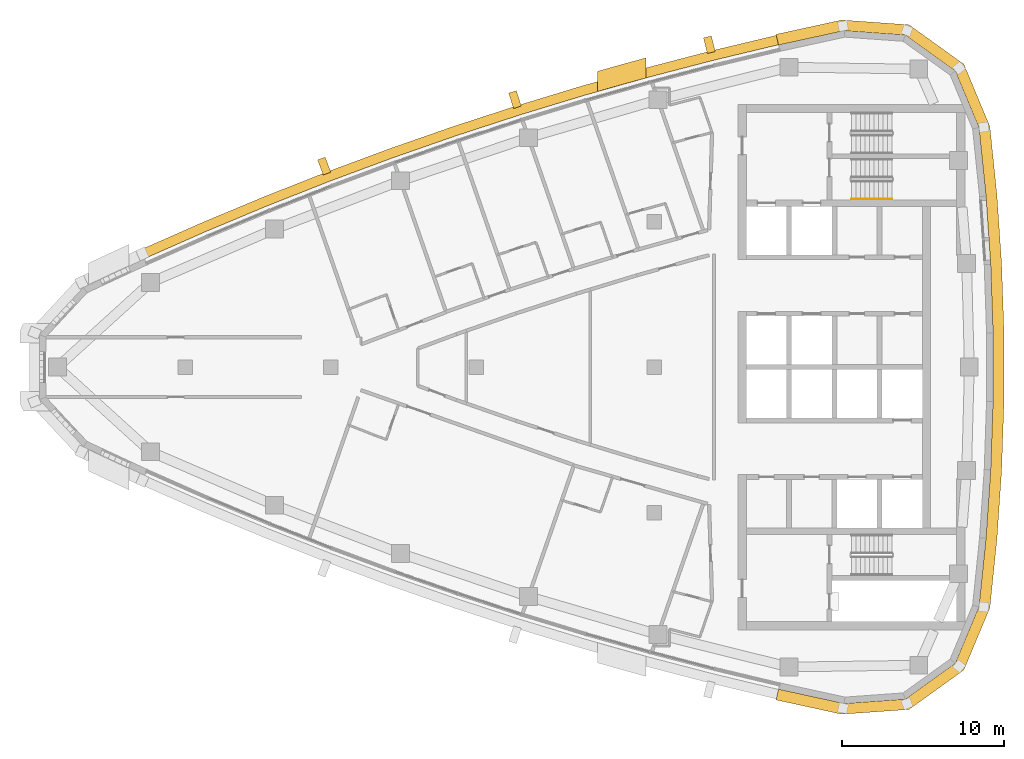
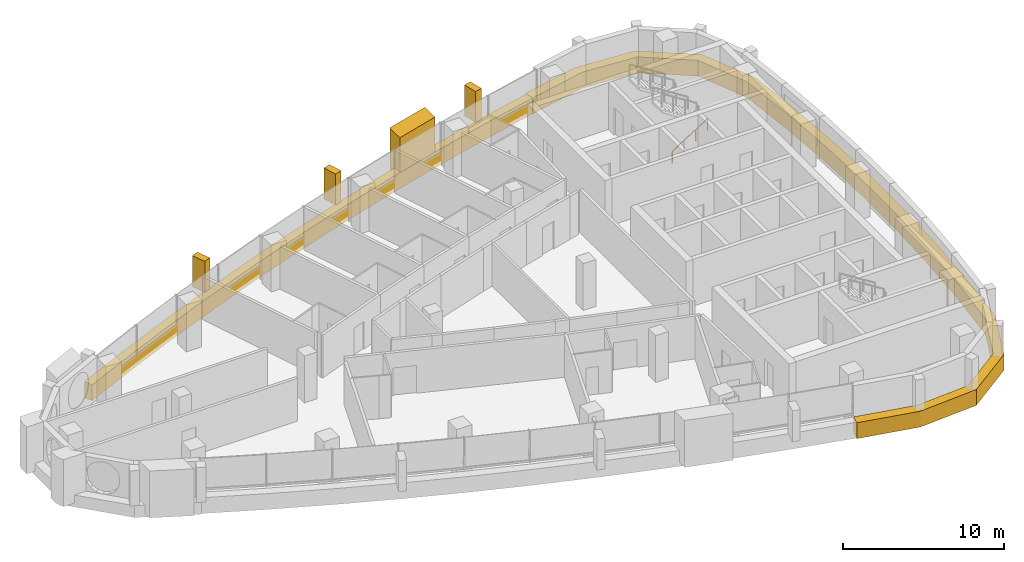
# One storey, part 13 of 14: 6 coverings, 1 railing.
"""IFC4 building model written with IfcOpenShell, lengths in metres."""

from ifc_helpers import new_model, si_unit, direction, frame, frame_2d, origin, origin_2d, place, context, subcontext, project, spatial, polyline, rectangle, circle, outline, extrude, material, layer, layer_set, type_object, element, save


model = new_model("IFC4")

# Units and contexts
model_context = context("Model", 3, precision=1e-05, world=origin(), true_north=direction((0.0, 1.0)))
body_context = subcontext(model_context, "Body", "Model", "MODEL_VIEW")
ifc_project = project(units=[si_unit("LENGTHUNIT", "METRE"), si_unit("AREAUNIT", "SQUARE_METRE"), si_unit("VOLUMEUNIT", "CUBIC_METRE"), si_unit("PLANEANGLEUNIT", "RADIAN"), si_unit("MASSUNIT", "GRAM", prefix="KILO")], contexts=[model_context])

# Site, building, storey
site_placement = place(None, origin())
site = spatial("IfcSite", under=ifc_project, at=site_placement, CompositionType="ELEMENT")
building_placement = place(site_placement, origin())
building = spatial("IfcBuilding", under=site, at=building_placement, Name="Ostrand Prow Hotel Tower", CompositionType="ELEMENT")
storey_placement = place(building_placement, frame((0.0, 0.0, 289.199951171875)))
storey = spatial("IfcBuildingStorey", under=building, at=storey_placement, Name="L73", CompositionType="ELEMENT", Elevation=289.199951171875)

# Coverings
ifc_material_1 = material(Name="Bronze anodised aluminium cladding", Category="aluminium")
ifc_layer_1 = layer(ifc_material_1, 0.60009765625)
ifc_layer_set_1 = layer_set([ifc_layer_1], Name="Bronze anodised aluminium cladding")
covering_type_1 = type_object("IfcCoveringType", Name="Bronze spandrel band 1200x600", PredefinedType="CLADDING", material=ifc_layer_set_1)
covering_1_placement = place(storey_placement, frame((0.0, 0.0, -0.300048828125)))
element("IfcCovering", 1, at=covering_1_placement, inside=storey, type_object=covering_type_1, Name="Spandrel band N1", PredefinedType="CLADDING", context=body_context, shape_type="SweptSolid", body=[
    extrude(outline(polyline([(52.55615234375, 20.52880859375), (48.51220703125, 19.56103515625), (44.48828125, 18.51220703125), (40.486328125, 17.382568359375), (36.508056640625, 16.172607421875), (32.5546875, 14.88330078125), (28.62841796875, 13.514404296875), (24.72998046875, 12.067138671875), (20.86181640625, 10.541748046875), (17.02490234375, 8.938720703125), (13.220947265625, 7.25927734375), (13.468994140625, 6.712890625), (17.26171875, 8.3876953125), (21.08740234375, 9.98583984375), (24.944580078125, 11.5068359375), (28.83154296875, 12.949951171875), (32.74658203125, 14.314697265625), (36.6884765625, 15.6005859375), (40.6552734375, 16.806884765625), (44.6455078125, 17.93310546875), (48.65771484375, 18.97900390625), (52.68994140625, 19.94384765625), (52.55615234375, 20.52880859375)])), origin(), (0.0, 0.0, 1.0), 1.2001953125),
])
covering_2_placement = place(storey_placement, frame((0.0, 0.0, -0.300048828125)))
element("IfcCovering", 2, at=covering_2_placement, inside=storey, type_object=covering_type_1, Name="Spandrel band back 1", PredefinedType="CLADDING", context=body_context, shape_type="SweptSolid", body=[
    extrude(outline(polyline([(52.542236328125, -20.58984375), (56.606201171875, -21.476318359375), (60.771728515625, -21.17919921875), (64.162841796875, -18.741455078125), (65.77197265625, -14.887451171875), (66.2080078125, -10.646240234375), (66.498779296875, -6.392822265625), (66.644287109375, -2.131591796875), (66.644287109375, 2.131591796875), (66.498779296875, 6.392822265625), (66.2080078125, 10.646240234375), (65.77197265625, 14.887451171875), (64.162841796875, 18.741455078125), (60.771728515625, 21.17919921875), (56.606201171875, 21.476318359375), (52.542236328125, 20.58984375), (52.69384765625, 19.927001953125), (56.744384765625, 20.810546875), (60.540283203125, 20.539794921875), (63.630615234375, 18.318359375), (65.0966796875, 14.806396484375), (65.530517578125, 10.58837890625), (65.819580078125, 6.35791015625), (65.964599609375, 2.1201171875), (65.964599609375, -2.1201171875), (65.819580078125, -6.35791015625), (65.530517578125, -10.58837890625), (65.0966796875, -14.806396484375), (63.630615234375, -18.318359375), (60.540283203125, -20.539794921875), (56.744384765625, -20.810546875), (52.69384765625, -19.927001953125), (52.542236328125, -20.58984375)])), origin(), (0.0, 0.0, 1.0), 1.2001953125),
])
ifc_material_2 = material(Name="Limestone cladding", Category="masonry")
ifc_layer_2 = layer(ifc_material_2, 5.0)
ifc_layer_set_2 = layer_set([ifc_layer_2], Name="Limestone cladding")
covering_type_2 = type_object("IfcCoveringType", Name="Portal jamb pilaster limestone", PredefinedType="CLADDING", material=ifc_layer_set_2)
covering_3_placement = place(storey_placement, origin())
element("IfcCovering", 3, at=covering_3_placement, inside=storey, type_object=covering_type_2, Name="Portal jamb NB L73", PredefinedType="CLADDING", context=body_context, shape_type="SweptSolid", body=[
    extrude(outline(polyline([(41.5, 17.052490234375), (42.5, 17.338134765625), (43.5, 17.61865234375), (44.5, 17.8935546875), (44.5, 19.136962890625), (43.5, 18.86376953125), (42.5, 18.585205078125), (41.5, 18.301025390625), (41.5, 17.052490234375)])), origin(), (0.0, 0.0, 1.0), 3.550048828125),
])
ifc_material_3 = material(Name="Limestone cladding", Category="masonry")
ifc_layer_3 = layer(ifc_material_3, 0.5)
ifc_layer_set_3 = layer_set([ifc_layer_3], Name="Limestone cladding")
covering_type_3 = type_object("IfcCoveringType", Name="Precast stone fin 500x900", PredefinedType="CLADDING", material=ifc_layer_set_3)
for number, where, z_axis, x_axis, name in (
    (4, (48.536376953125, 19.464111328125, 0.900146484375), (0.0, 0.0, 1.0), (-0.242707978632, 0.970099395479, 0.0), "Stone fin N 2"),
    (5, (36.5380859375, 16.077392578125, 0.900146484375), (0.0, 0.0, 1.0), (-0.30058207316, 0.953755952692, 0.0), "Stone fin N 5"),
):
    element("IfcCovering", number, at=place(storey_placement, frame(where, z_axis=z_axis, x_axis=x_axis)), inside=storey, type_object=covering_type_3, Name=name, PredefinedType="CLADDING", context=body_context, shape_type="SweptSolid", body=[
        extrude(rectangle(XDim=0.999755859375, YDim=0.5, at=frame_2d((0.5, 0.0))), origin(), (0.0, 0.0, 1.0), 2.349853515625),
    ])
covering_4_placement = place(storey_placement, frame((24.765869140625, 11.973876953125, 0.900146484375), z_axis=(0.0, 0.0, 1.0), x_axis=(-0.357456978517, 0.933929605757, 0.0)))
element("IfcCovering", 6, at=covering_4_placement, inside=storey, type_object=covering_type_3, Name="Stone fin N 8", PredefinedType="CLADDING", context=body_context, shape_type="SweptSolid", body=[
    extrude(rectangle(XDim=1.0, YDim=0.5, at=frame_2d((0.5, 0.0))), origin(), (0.0, 0.0, 1.0), 2.349853515625),
])

# Railing
ifc_material_4 = material(Name="Stainless steel", Category="steel")
railing_type = type_object("IfcRailingType", Name="Stair handrail 900", PredefinedType="HANDRAIL", material=ifc_material_4)
railing_placement = place(storey_placement, frame((57.199951171875, 10.39990234375, 0.177490234375)))
element("IfcRailing", 7, at=railing_placement, inside=storey, type_object=railing_type, Name="L73 ST1C stair handrail 1", PredefinedType="HANDRAIL", context=body_context, shape_type="SweptSolid", body=[
    extrude(circle(Radius=0.02392578125, at=origin_2d()), frame((0.0, 0.0, 0.8759765625), z_axis=(0.84456994832, 0.0, 0.535445237532), x_axis=(0.0, 1.0, 0.0)), (0.0, 0.0, 1.0), 2.98388671875),
    extrude(circle(Radius=0.02099609375, at=origin_2d()), origin(), (0.0, 0.0, 1.0), 0.851806640625),
    extrude(circle(Radius=0.02099609375, at=origin_2d()), frame((0.840087890625, 0.0, 0.532470703125)), (0.0, 0.0, 1.0), 0.851806640625),
    extrude(circle(Radius=0.02099609375, at=origin_2d()), frame((1.679931640625, 0.0, 1.065185546875)), (0.0, 0.0, 1.0), 0.851806640625),
    extrude(circle(Radius=0.02099609375, at=origin_2d()), frame((2.52001953125, 0.0, 1.59765625)), (0.0, 0.0, 1.0), 0.851806640625),
])

save(model, "model.ifc")
